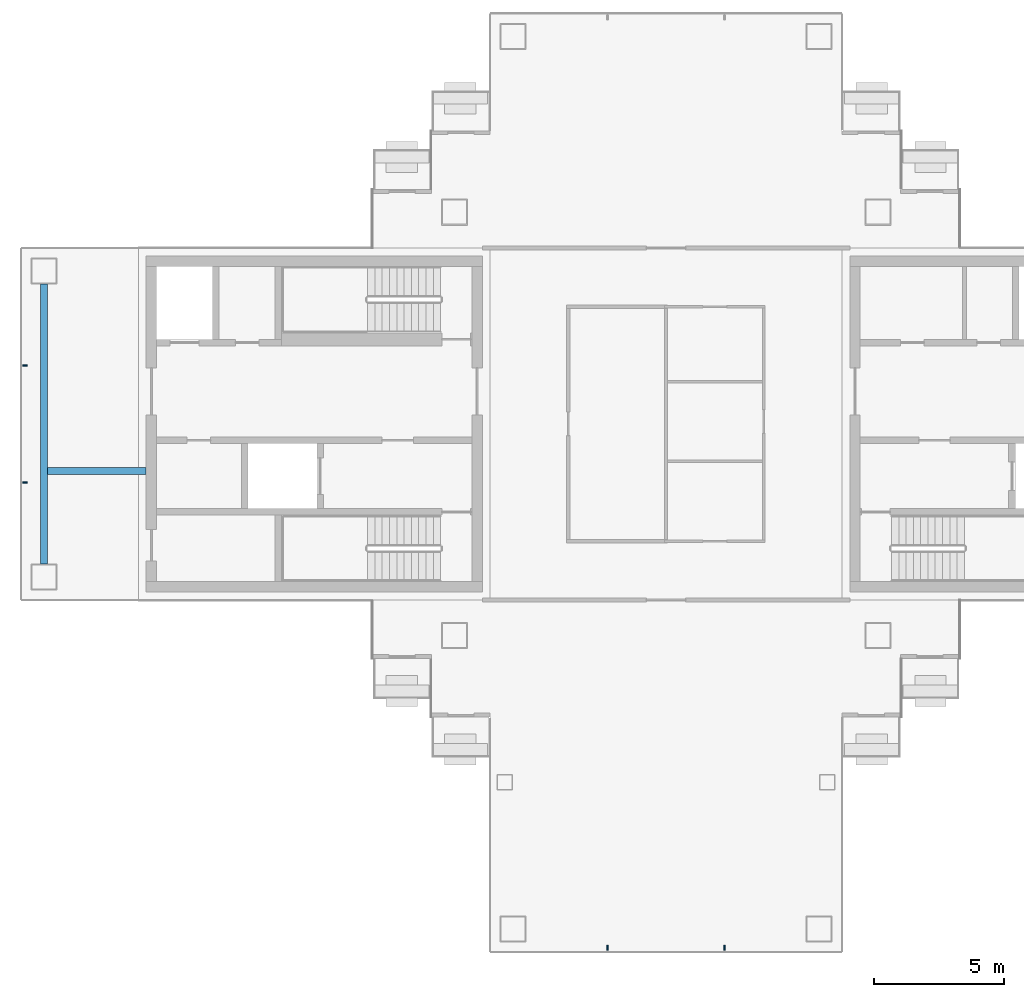
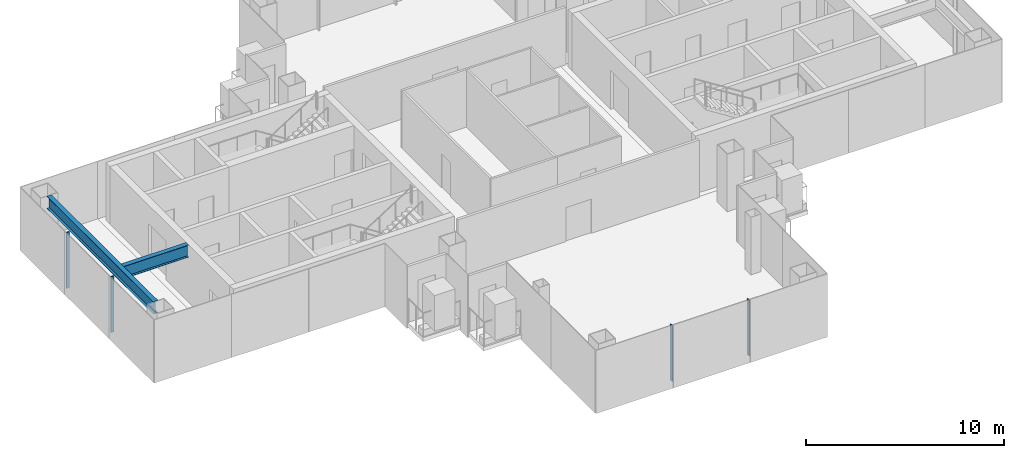
# One storey, part 3 of 17: 4 members, 2 beams, 2 elements without a shape of their own.
"""IFC4 building model written with IfcOpenShell, lengths in metres."""

from ifc_helpers import new_model, si_unit, direction, frame, origin, origin_2d, place, context, subcontext, project, spatial, rectangle, i_section, extrude, material, layer, layer_set, material_profile, profile_set, type_object, element, aggregate, save


model = new_model("IFC4")

# Units and contexts
model_context = context("Model", 3, precision=1e-05, world=origin(), true_north=direction((0.0, 1.0)))
body_context = subcontext(model_context, "Body", "Model", "MODEL_VIEW")
ifc_project = project(units=[si_unit("LENGTHUNIT", "METRE"), si_unit("AREAUNIT", "SQUARE_METRE"), si_unit("VOLUMEUNIT", "CUBIC_METRE"), si_unit("PLANEANGLEUNIT", "RADIAN"), si_unit("MASSUNIT", "GRAM", prefix="KILO")], contexts=[model_context])

# Site, building, storey
site_placement = place(None, origin())
site = spatial("IfcSite", under=ifc_project, at=site_placement, CompositionType="ELEMENT")
building_placement = place(site_placement, origin())
building = spatial("IfcBuilding", under=site, at=building_placement, Name="Shamsa Quay Exchange Towers", CompositionType="ELEMENT")
storey_placement = place(building_placement, frame((0.0, 0.0, 217.800048828125)))
storey = spatial("IfcBuildingStorey", under=building, at=storey_placement, Name="L52", CompositionType="ELEMENT", Elevation=217.800048828125)

# Curtain wall, members
ifc_material_1 = material(Name="Aluminium EN AW-6063 T6, black anodised", Category="aluminium")
ifc_layer = layer(ifc_material_1, 0.280029296875)
ifc_layer_set = layer_set([ifc_layer], Name="CW-1 UNITISED VISION GLASS")
curtain_wall_type = type_object("IfcCurtainWallType", Name="CW-1 UNITISED VISION GLASS", PredefinedType="NOTDEFINED", material=ifc_layer_set)
curtain_wall_1_placement = place(storey_placement, origin())
curtain_wall_1 = element("IfcCurtainWall", 1, at=curtain_wall_1_placement, inside=storey, type_object=curtain_wall_type, Name="CW1 T1-END-V- L52", PredefinedType="NOTDEFINED")
ifc_material_profile_1 = material_profile(ifc_material_1, rectangle(XDim=0.179931640625, YDim=0.06005859375, at=origin_2d()), Name="MU60x180")
ifc_profile_set_1 = profile_set([ifc_material_profile_1], Name="Aluminium EN AW-6063 T6, black anodised")
member_type = type_object("IfcMemberType", Name="CW1 MULLION 60x180", PredefinedType="MULLION", material=ifc_profile_set_1)
member_1_placement = place(storey_placement, frame((-36.0, -20.10009765625, 0.0), z_axis=(0.0, 0.0, 1.0), x_axis=(0.0, 1.0, 0.0)))
member_1 = element("IfcMember", 2, at=member_1_placement, type_object=member_type, Name="CW1 mullion", PredefinedType="MULLION", context=body_context, shape_type="SweptSolid", body=[
    extrude(rectangle(XDim=0.179931640625, YDim=0.06005859375, at=origin_2d()), origin(), (0.0, 0.0, 1.0), 3.449951171875),
])
member_2_placement = place(storey_placement, frame((-31.5, -20.10009765625, 0.0), z_axis=(0.0, 0.0, 1.0), x_axis=(0.0, 1.0, 0.0)))
member_2 = element("IfcMember", 3, at=member_2_placement, type_object=member_type, Name="CW1 mullion", PredefinedType="MULLION", context=body_context, shape_type="SweptSolid", body=[
    extrude(rectangle(XDim=0.179931640625, YDim=0.06005859375, at=origin_2d()), origin(), (0.0, 0.0, 1.0), 3.449951171875),
])
aggregate(curtain_wall_1, [member_1, member_2])

curtain_wall_2_placement = place(storey_placement, origin())
curtain_wall_2 = element("IfcCurtainWall", 4, at=curtain_wall_2_placement, inside=storey, type_object=curtain_wall_type, Name="CW1 T1-END-U- L52", PredefinedType="NOTDEFINED")
member_3_placement = place(storey_placement, frame((-58.35009765625, 2.25, 0.0)))
member_3 = element("IfcMember", 5, at=member_3_placement, type_object=member_type, Name="CW1 mullion", PredefinedType="MULLION", context=body_context, shape_type="SweptSolid", body=[
    extrude(rectangle(XDim=0.179931640625, YDim=0.06005859375, at=origin_2d()), origin(), (0.0, 0.0, 1.0), 3.449951171875),
])
member_4_placement = place(storey_placement, frame((-58.35009765625, -2.25, 0.0)))
member_4 = element("IfcMember", 6, at=member_4_placement, type_object=member_type, Name="CW1 mullion", PredefinedType="MULLION", context=body_context, shape_type="SweptSolid", body=[
    extrude(rectangle(XDim=0.179931640625, YDim=0.06005859375, at=origin_2d()), origin(), (0.0, 0.0, 1.0), 3.449951171875),
])
aggregate(curtain_wall_2, [member_3, member_4])

# Beams
ifc_material_2 = material(Name="Steel S355", Category="steel")
ifc_material_profile_2 = material_profile(ifc_material_2, i_section(OverallWidth=0.26611328125, OverallDepth=0.7578125, WebThickness=0.013916015625, FlangeThickness=0.019287109375, at=origin_2d()), Name="W30x108")
ifc_profile_set_2 = profile_set([ifc_material_profile_2], Name="Steel S355")
beam_type = type_object("IfcBeamType", Name="End-zone beam W30x108", PredefinedType="BEAM", material=ifc_profile_set_2)
beam_1_placement = place(storey_placement, frame((-57.625, -5.375, 3.171142578125), z_axis=(0.0, 1.0, 0.0), x_axis=(-1.0, 0.0, 0.0)))
element("IfcBeam", 7, at=beam_1_placement, inside=storey, type_object=beam_type, Name="End beam T1 U- end zone L52", PredefinedType="BEAM", context=body_context, shape_type="SweptSolid", body=[
    extrude(i_section(OverallWidth=0.26611328125, OverallDepth=0.7578125, WebThickness=0.013916015625, FlangeThickness=0.019287109375, at=origin_2d()), origin(), (0.0, 0.0, 1.0), 10.75),
])
beam_2_placement = place(storey_placement, frame((-53.699951171875, -1.800048828125, 3.171142578125), z_axis=(-1.0, 0.0, 0.0), x_axis=(0.0, -1.0, 0.0)))
element("IfcBeam", 8, at=beam_2_placement, inside=storey, type_object=beam_type, Name="Spine beam T1 U- end zone L52", PredefinedType="BEAM", context=body_context, shape_type="SweptSolid", body=[
    extrude(i_section(OverallWidth=0.26611328125, OverallDepth=0.7578125, WebThickness=0.013916015625, FlangeThickness=0.019287109375, at=origin_2d()), origin(), (0.0, 0.0, 1.0), 3.7919921875),
])

save(model, "model.ifc")
